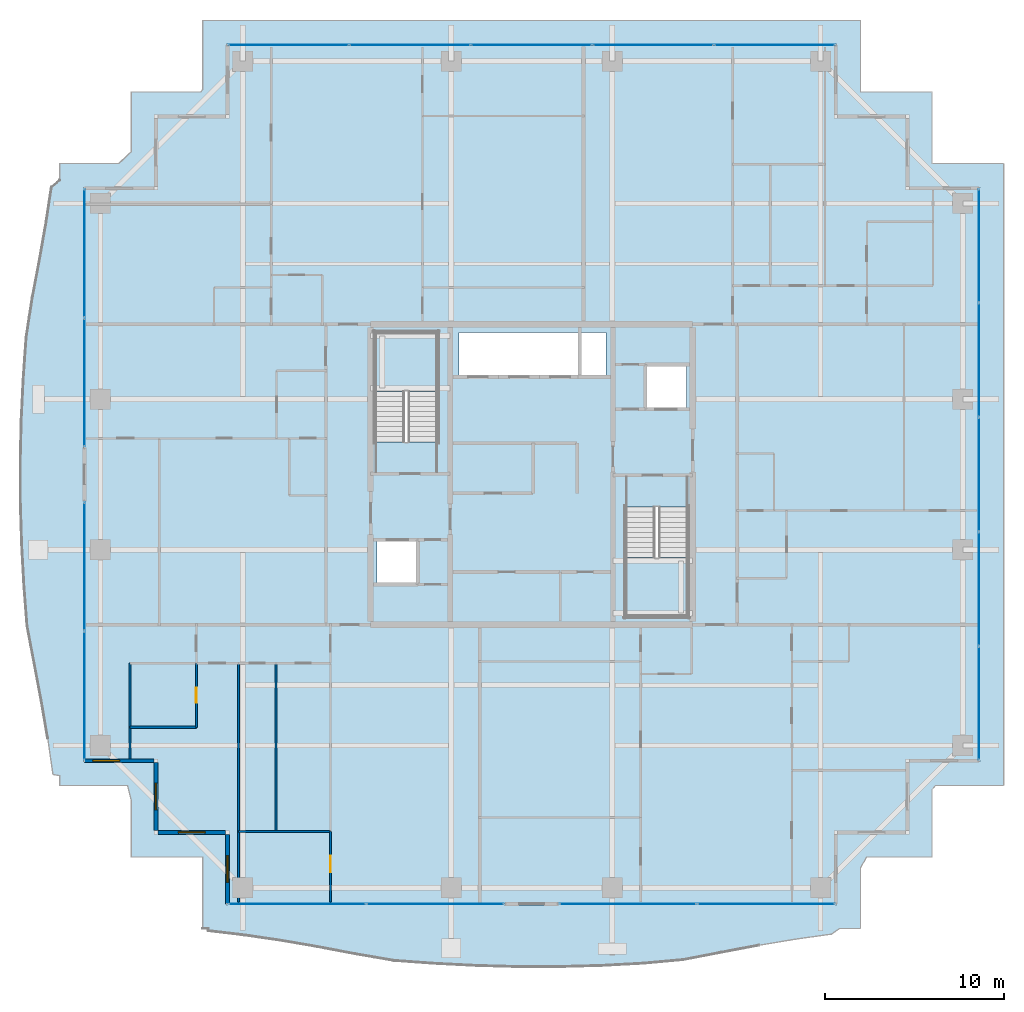
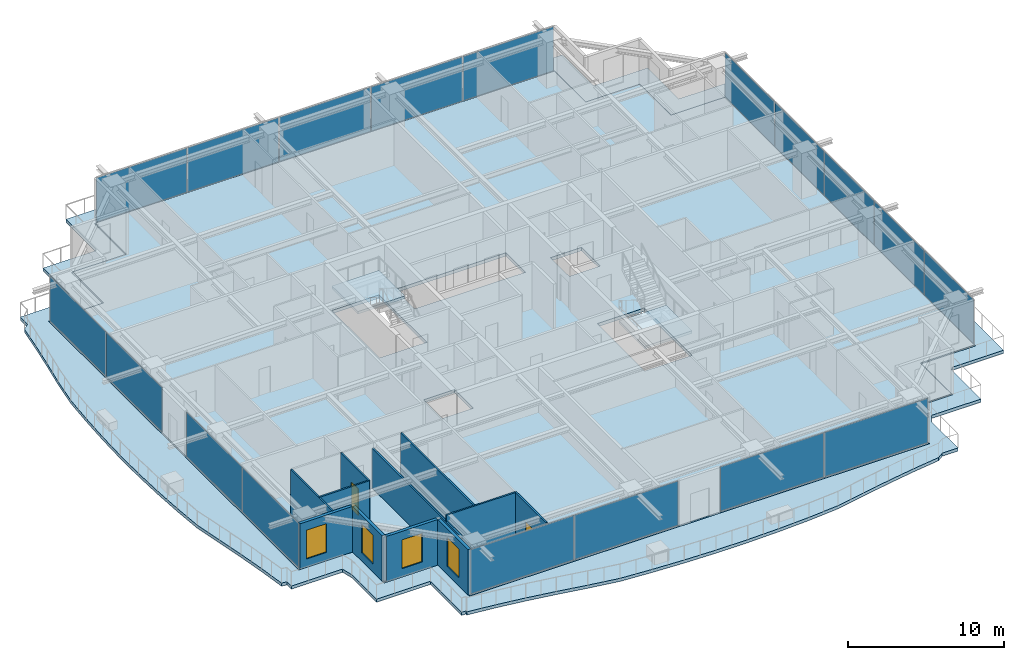
# One storey, part 23 of 35: 18 plates, 11 walls, 4 slabs, 4 windows, 2 doors, 6 openings, 8 elements without a shape of their own.
"""IFC4 building model written with IfcOpenShell, lengths in metres."""

from ifc_helpers import new_model, si_unit, direction, frame, frame_2d, origin, origin_2d, place, context, subcontext, project, spatial, polyline, rectangle, outline, extrude, source, transform, mapped, material, layer, layer_set, type_object, element, fill, aggregate, save


model = new_model("IFC4")

# Units and contexts
model_context = context("Model", 3, precision=1e-05, world=origin(), true_north=direction((0.0, 1.0)))
body_context = subcontext(model_context, "Body", "Model", "MODEL_VIEW")
ifc_project = project(units=[si_unit("LENGTHUNIT", "METRE"), si_unit("AREAUNIT", "SQUARE_METRE"), si_unit("VOLUMEUNIT", "CUBIC_METRE"), si_unit("PLANEANGLEUNIT", "RADIAN"), si_unit("MASSUNIT", "GRAM", prefix="KILO")], contexts=[model_context])

# Site, building, storey
site_placement = place(None, origin())
site = spatial("IfcSite", under=ifc_project, at=site_placement, CompositionType="ELEMENT")
building_placement = place(site_placement, origin())
building = spatial("IfcBuilding", under=site, at=building_placement, Name="Serunith Strait Residences", CompositionType="ELEMENT")
storey_placement = place(building_placement, frame((0.0, 0.0, 214.300048828125)))
storey = spatial("IfcBuildingStorey", under=building, at=storey_placement, Name="L53", CompositionType="ELEMENT", Elevation=214.300048828125)

# Slab
ifc_material_1 = material(Name="Concrete C50/60", Category="concrete")
ifc_layer_1 = layer(ifc_material_1, 0.239990234375, Name="Concrete C50/60")
ifc_layer_set_1 = layer_set([ifc_layer_1], Name="Concrete C50/60")
slab_type_1 = type_object("IfcSlabType", Name="SLB-BALC-240", PredefinedType="FLOOR", material=ifc_layer_set_1)
slab_1_placement = place(storey_placement, frame((0.0, 0.0, -0.2900390625)))
element("IfcSlab", 1, at=slab_1_placement, inside=storey, type_object=slab_type_1, Name="L53 Planted Vertical-Forest Balcony Slab", PredefinedType="FLOOR", context=body_context, shape_type="SweptSolid", body=[
    extrude(outline(polyline([(14.02001953125, -0.179931640625), (14.02001953125, 3.820068359375), (10.02001953125, 3.820068359375), (10.02001953125, 6.98828125), (9.8154296875, 7.820068359375), (6.02001953125, 7.820068359375), (6.02001953125, 8.3701171875), (5.64404296875, 8.432861328125), (5.3525390625, 10.458984375), (5.005615234375, 12.507080078125), (4.614013671875, 14.594970703125), (4.2041015625, 16.7412109375), (4.030029296875, 19.005859375), (3.904541015625, 21.3056640625), (3.83447265625, 23.62890625), (3.826904296875, 25.9619140625), (3.88232421875, 28.289306640625), (3.9951171875, 30.596923828125), (4.154296875, 32.873291015625), (4.49072265625, 35.061279296875), (4.89111328125, 37.16650390625), (5.253173828125, 39.225830078125), (5.561767578125, 41.25830078125), (6.02001953125, 41.644287109375), (6.02001953125, 42.580078125), (9.319580078125, 42.580078125), (10.02001953125, 43.233154296875), (10.02001953125, 46.580078125), (13.9189453125, 46.580078125), (14.02001953125, 46.734619140625), (14.02001953125, 50.580078125), (50.780029296875, 50.580078125), (50.780029296875, 46.580078125), (54.780029296875, 46.580078125), (54.780029296875, 42.580078125), (58.780029296875, 42.580078125), (58.780029296875, 7.820068359375), (54.97509765625, 7.820068359375), (54.780029296875, 7.597900390625), (54.780029296875, 3.820068359375), (51.12060546875, 3.820068359375), (50.780029296875, 3.201416015625), (50.780029296875, -0.179931640625), (49.6103515625, -0.179931640625), (49.1689453125, -0.488525390625), (47.14501953125, -0.77294921875), (45.101318359375, -1.1162109375), (43.018310546875, -1.508056640625), (40.8759765625, -1.9228515625), (38.615234375, -2.12841796875), (36.307861328125, -2.25), (33.976318359375, -2.314208984375), (31.6357421875, -2.314697265625), (29.302001953125, -2.252197265625), (26.990234375, -2.133544921875), (24.711181640625, -1.97021484375), (22.537109375, -1.596923828125), (20.438232421875, -1.1982421875), (18.38330078125, -0.84375), (16.353271484375, -0.54638671875), (14.33251953125, -0.306884765625), (14.33349609375, -0.179931640625), (14.02001953125, -0.179931640625)]), holes=[polyline([(49.455078125, 1.14501953125), (49.455078125, 5.14501953125), (53.455078125, 5.14501953125), (53.455078125, 9.14501953125), (57.455078125, 9.14501953125), (57.455078125, 41.2548828125), (53.455078125, 41.2548828125), (53.455078125, 45.2548828125), (49.455078125, 45.2548828125), (49.455078125, 49.2548828125), (15.344970703125, 49.2548828125), (15.344970703125, 45.2548828125), (11.344970703125, 45.2548828125), (11.344970703125, 41.2548828125), (7.344970703125, 41.2548828125), (7.344970703125, 9.14501953125), (11.344970703125, 9.14501953125), (11.344970703125, 5.14501953125), (15.344970703125, 5.14501953125), (15.344970703125, 1.14501953125), (49.455078125, 1.14501953125)])]), origin(), (0.0, 0.0, 1.0), 0.239990234375),
])

# Stair, slab
stair_type_1 = type_object("IfcStairType", Name="STR-CORE-1", PredefinedType="HALF_TURN_STAIR", material=ifc_material_1)
stair_1_placement = place(storey_placement, origin())
stair_1 = element("IfcStair", 2, at=stair_1_placement, inside=storey, type_object=stair_type_1, Name="L53 Protected Escape Stair ST-1", PredefinedType="HALF_TURN_STAIR")
ifc_layer_2 = layer(ifc_material_1, 0.199951171875, Name="Concrete C50/60")
ifc_layer_set_2 = layer_set([ifc_layer_2], Name="Concrete C50/60")
slab_type_2 = type_object("IfcSlabType", Name="SLB-LAND-200", PredefinedType="LANDING", material=ifc_layer_set_2)
slab_2_placement = place(storey_placement, frame((0.0, 0.0, 1.724853515625)))
slab_2 = element("IfcSlab", 3, at=slab_2_placement, type_object=slab_type_2, Name="ST-1 landing 1", PredefinedType="LANDING", context=body_context, shape_type="SweptSolid", body=[
    extrude(outline(polyline([(27.14990234375, 29.830078125), (27.14990234375, 33.14990234375), (23.64990234375, 33.14990234375), (23.64990234375, 29.830078125), (27.14990234375, 29.830078125)])), origin(), (0.0, 0.0, 1.0), 0.2001953125),
])
aggregate(stair_1, [slab_2])

stair_type_2 = type_object("IfcStairType", Name="STR-CORE-2", PredefinedType="HALF_TURN_STAIR", material=ifc_material_1)
stair_2_placement = place(storey_placement, origin())
stair_2 = element("IfcStair", 4, at=stair_2_placement, inside=storey, type_object=stair_type_2, Name="L53 Protected Escape Stair ST-2", PredefinedType="HALF_TURN_STAIR")
slab_3_placement = place(storey_placement, frame((0.0, 0.0, 1.724853515625)))
slab_3 = element("IfcSlab", 5, at=slab_3_placement, type_object=slab_type_2, Name="ST-2 landing 1", PredefinedType="LANDING", context=body_context, shape_type="SweptSolid", body=[
    extrude(outline(polyline([(37.64990234375, 20.570068359375), (37.64990234375, 17.25), (41.14990234375, 17.25), (41.14990234375, 20.570068359375), (37.64990234375, 20.570068359375)])), origin(), (0.0, 0.0, 1.0), 0.2001953125),
])
aggregate(stair_2, [slab_3])

# Slab
ifc_material_2 = material(Name="Concrete C60/75", Category="concrete")
ifc_layer_3 = layer(ifc_material_2, 0.260009765625, Name="Concrete C60/75")
ifc_layer_set_3 = layer_set([ifc_layer_3], Name="Concrete C60/75")
slab_type_3 = type_object("IfcSlabType", Name="SLB-TWR-275-Z3", PredefinedType="FLOOR", material=ifc_layer_set_3)
slab_4_placement = place(storey_placement, frame((0.0, 0.0, -0.260009765625)))
element("IfcSlab", 6, at=slab_4_placement, inside=storey, type_object=slab_type_3, Name="L53 Structural Floor Plate", PredefinedType="FLOOR", context=body_context, shape_type="SweptSolid", body=[
    extrude(outline(polyline([(15.39990234375, 5.199951171875), (11.39990234375, 5.199951171875), (11.39990234375, 9.199951171875), (7.39990234375, 9.199951171875), (7.39990234375, 41.199951171875), (11.39990234375, 41.199951171875), (11.39990234375, 45.199951171875), (15.39990234375, 45.199951171875), (15.39990234375, 49.199951171875), (49.39990234375, 49.199951171875), (49.39990234375, 45.199951171875), (53.39990234375, 45.199951171875), (53.39990234375, 41.199951171875), (57.39990234375, 41.199951171875), (57.39990234375, 9.199951171875), (53.39990234375, 9.199951171875), (53.39990234375, 5.199951171875), (49.39990234375, 5.199951171875), (49.39990234375, 1.199951171875), (15.39990234375, 1.199951171875), (15.39990234375, 5.199951171875)]), holes=[polyline([(41.14990234375, 23.3701171875), (37.64990234375, 23.3701171875), (37.64990234375, 17.25), (41.14990234375, 17.25), (41.14990234375, 23.3701171875)]), polyline([(38.75, 31.25), (38.75, 28.85009765625), (41.050048828125, 28.85009765625), (41.050048828125, 31.25), (38.75, 31.25)]), polyline([(36.550048828125, 33.14990234375), (28.35009765625, 33.14990234375), (28.35009765625, 30.64990234375), (36.550048828125, 30.64990234375), (36.550048828125, 33.14990234375)]), polyline([(23.64990234375, 33.14990234375), (23.64990234375, 27.030029296875), (27.14990234375, 27.030029296875), (27.14990234375, 33.14990234375), (23.64990234375, 33.14990234375)]), polyline([(23.75, 21.550048828125), (23.75, 19.14990234375), (26.050048828125, 19.14990234375), (26.050048828125, 21.550048828125), (23.75, 21.550048828125)])]), origin(), (0.0, 0.0, 1.0), 0.260009765625),
])

# Curtain wall, plates
ifc_material_3 = material(Name="Pale-Champagne Anodised Aluminium", Category="aluminium")
ifc_layer_4 = layer(ifc_material_3, 0.199951171875, Name="Pale-Champagne Anodised Aluminium")
ifc_layer_set_4 = layer_set([ifc_layer_4], Name="Pale-Champagne Anodised Aluminium")
curtain_wall_type = type_object("IfcCurtainWallType", Name="CW-SYS4", PredefinedType="NOTDEFINED", material=ifc_layer_set_4)
curtain_wall_1_placement = place(storey_placement, origin())
curtain_wall_1 = element("IfcCurtainWall", 7, at=curtain_wall_1_placement, inside=storey, type_object=curtain_wall_type, Name="L53 S Unitised Fritted Curtain Wall", PredefinedType="NOTDEFINED")
ifc_material_4 = material(Name="Ceramic-Printed Solar-Control Glazing 28mm", Category="glass")
ifc_layer_5 = layer(ifc_material_4, 0.028076171875, Name="Ceramic-Printed Solar-Control Glazing 28mm")
ifc_layer_set_5 = layer_set([ifc_layer_5], Name="Ceramic-Printed Solar-Control Glazing 28mm")
plate_type = type_object("IfcPlateType", Name="CW-SYS4-PNL", PredefinedType="CURTAIN_PANEL", material=ifc_layer_set_5)
shared_shape_1 = source(origin(), body_context, "Body", "SweptSolid", [
    extrude(rectangle(XDim=7.652587890625, YDim=0.028076171875, at=origin_2d()), origin(), (0.0, 0.0, 1.0), 3.455078125),
])
plate_1_placement = place(storey_placement, frame((19.291259765625, 1.199951171875, 0.059814453125), z_axis=(0.0, 0.0, 1.0), x_axis=(1.0, 0.0, 0.0)))
plate_1 = element("IfcPlate", 8, at=plate_1_placement, type_object=plate_type, Name="CW-4 panel 1.1", PredefinedType="CURTAIN_PANEL", context=body_context, shape_type="MappedRepresentation", body=[
    mapped(shared_shape_1, transform((0.0, 0.0, 0.0), scale=1.0)),
])
plate_2_placement = place(storey_placement, frame((27.0087890625, 1.199951171875, 0.059814453125), z_axis=(0.0, 0.0, 1.0), x_axis=(1.0, 0.0, 0.0)))
plate_2 = element("IfcPlate", 9, at=plate_2_placement, type_object=plate_type, Name="CW-4 panel 2.1", PredefinedType="CURTAIN_PANEL", context=body_context, shape_type="MappedRepresentation", body=[
    mapped(shared_shape_1, transform((0.0, 0.0, 0.0), scale=1.0)),
])
aggregate(curtain_wall_1, [plate_1, plate_2])

curtain_wall_2_placement = place(storey_placement, origin())
curtain_wall_2 = element("IfcCurtainWall", 10, at=curtain_wall_2_placement, inside=storey, type_object=curtain_wall_type, Name="L53 S Unitised Fritted Curtain Wall", PredefinedType="NOTDEFINED")
plate_3_placement = place(storey_placement, frame((37.791259765625, 1.199951171875, 0.059814453125), z_axis=(0.0, 0.0, 1.0), x_axis=(1.0, 0.0, 0.0)))
plate_3 = element("IfcPlate", 11, at=plate_3_placement, type_object=plate_type, Name="CW-4 panel 1.1", PredefinedType="CURTAIN_PANEL", context=body_context, shape_type="MappedRepresentation", body=[
    mapped(shared_shape_1, transform((0.0, 0.0, 0.0), scale=1.0)),
])
plate_4_placement = place(storey_placement, frame((45.5087890625, 1.199951171875, 0.059814453125), z_axis=(0.0, 0.0, 1.0), x_axis=(1.0, 0.0, 0.0)))
plate_4 = element("IfcPlate", 12, at=plate_4_placement, type_object=plate_type, Name="CW-4 panel 2.1", PredefinedType="CURTAIN_PANEL", context=body_context, shape_type="MappedRepresentation", body=[
    mapped(shared_shape_1, transform((0.0, 0.0, 0.0), scale=1.0)),
])
aggregate(curtain_wall_2, [plate_3, plate_4])

curtain_wall_3_placement = place(storey_placement, origin())
curtain_wall_3 = element("IfcCurtainWall", 13, at=curtain_wall_3_placement, inside=storey, type_object=curtain_wall_type, Name="L53 E Unitised Fritted Curtain Wall", PredefinedType="NOTDEFINED")
shared_shape_2 = source(origin(), body_context, "Body", "SweptSolid", [
    extrude(rectangle(XDim=6.302490234375, YDim=0.028076171875, at=origin_2d()), origin(), (0.0, 0.0, 1.0), 3.455078125),
])
plate_5_placement = place(storey_placement, frame((57.39990234375, 12.416259765625, 0.059814453125), z_axis=(0.0, 0.0, 1.0), x_axis=(0.0, 1.0, 0.0)))
plate_5 = element("IfcPlate", 14, at=plate_5_placement, type_object=plate_type, Name="CW-4 panel 1.1", PredefinedType="CURTAIN_PANEL", context=body_context, shape_type="MappedRepresentation", body=[
    mapped(shared_shape_2, transform((0.0, 0.0, 0.0), scale=1.0)),
])
plate_6_placement = place(storey_placement, frame((57.39990234375, 37.983642578125, 0.059814453125), z_axis=(0.0, 0.0, 1.0), x_axis=(0.0, 1.0, 0.0)))
plate_6 = element("IfcPlate", 15, at=plate_6_placement, type_object=plate_type, Name="CW-4 panel 5.1", PredefinedType="CURTAIN_PANEL", context=body_context, shape_type="MappedRepresentation", body=[
    mapped(shared_shape_2, transform((0.0, 0.0, 0.0), scale=1.0)),
])
shared_shape_3 = source(origin(), body_context, "Body", "SweptSolid", [
    extrude(rectangle(XDim=6.3349609375, YDim=0.028076171875, at=origin_2d()), origin(), (0.0, 0.0, 1.0), 3.455078125),
])
plate_7_placement = place(storey_placement, frame((57.39990234375, 18.800048828125, 0.059814453125), z_axis=(0.0, 0.0, 1.0), x_axis=(0.0, 1.0, 0.0)))
plate_7 = element("IfcPlate", 16, at=plate_7_placement, type_object=plate_type, Name="CW-4 panel 2.1", PredefinedType="CURTAIN_PANEL", context=body_context, shape_type="MappedRepresentation", body=[
    mapped(shared_shape_3, transform((0.0, 0.0, 0.0), scale=1.0)),
])
plate_8_placement = place(storey_placement, frame((57.39990234375, 25.199951171875, 0.059814453125), z_axis=(0.0, 0.0, 1.0), x_axis=(0.0, 1.0, 0.0)))
plate_8 = element("IfcPlate", 17, at=plate_8_placement, type_object=plate_type, Name="CW-4 panel 3.1", PredefinedType="CURTAIN_PANEL", context=body_context, shape_type="MappedRepresentation", body=[
    mapped(shared_shape_3, transform((0.0, 0.0, 0.0), scale=1.0)),
])
plate_9_placement = place(storey_placement, frame((57.39990234375, 31.60009765625, 0.059814453125), z_axis=(0.0, 0.0, 1.0), x_axis=(0.0, 1.0, 0.0)))
plate_9 = element("IfcPlate", 18, at=plate_9_placement, type_object=plate_type, Name="CW-4 panel 4.1", PredefinedType="CURTAIN_PANEL", context=body_context, shape_type="MappedRepresentation", body=[
    mapped(shared_shape_3, transform((0.0, 0.0, 0.0), scale=1.0)),
])
aggregate(curtain_wall_3, [plate_5, plate_7, plate_8, plate_9, plate_6])

curtain_wall_4_placement = place(storey_placement, origin())
curtain_wall_4 = element("IfcCurtainWall", 19, at=curtain_wall_4_placement, inside=storey, type_object=curtain_wall_type, Name="L53 N Unitised Fritted Curtain Wall", PredefinedType="NOTDEFINED")
shared_shape_4 = source(origin(), body_context, "Body", "SweptSolid", [
    extrude(rectangle(XDim=6.702392578125, YDim=0.028076171875, at=origin_2d()), origin(), (0.0, 0.0, 1.0), 3.455078125),
])
plate_10_placement = place(storey_placement, frame((45.983642578125, 49.199951171875, 0.059814453125), z_axis=(0.0, 0.0, 1.0), x_axis=(-1.0, 0.0, 0.0)))
plate_10 = element("IfcPlate", 20, at=plate_10_placement, type_object=plate_type, Name="CW-4 panel 1.1", PredefinedType="CURTAIN_PANEL", context=body_context, shape_type="MappedRepresentation", body=[
    mapped(shared_shape_4, transform((0.0, 0.0, 0.0), scale=1.0)),
])
plate_11_placement = place(storey_placement, frame((18.816162109375, 49.199951171875, 0.059814453125), z_axis=(0.0, 0.0, 1.0), x_axis=(-1.0, 0.0, 0.0)))
plate_11 = element("IfcPlate", 21, at=plate_11_placement, type_object=plate_type, Name="CW-4 panel 5.1", PredefinedType="CURTAIN_PANEL", context=body_context, shape_type="MappedRepresentation", body=[
    mapped(shared_shape_4, transform((0.0, 0.0, 0.0), scale=1.0)),
])
shared_shape_5 = source(origin(), body_context, "Body", "SweptSolid", [
    extrude(rectangle(XDim=6.735107421875, YDim=0.028076171875, at=origin_2d()), origin(), (0.0, 0.0, 1.0), 3.455078125),
])
plate_12_placement = place(storey_placement, frame((39.199951171875, 49.199951171875, 0.059814453125), z_axis=(0.0, 0.0, 1.0), x_axis=(-1.0, 0.0, 0.0)))
plate_12 = element("IfcPlate", 22, at=plate_12_placement, type_object=plate_type, Name="CW-4 panel 2.1", PredefinedType="CURTAIN_PANEL", context=body_context, shape_type="MappedRepresentation", body=[
    mapped(shared_shape_5, transform((0.0, 0.0, 0.0), scale=1.0)),
])
plate_13_placement = place(storey_placement, frame((32.39990234375, 49.199951171875, 0.059814453125), z_axis=(0.0, 0.0, 1.0), x_axis=(-1.0, 0.0, 0.0)))
plate_13 = element("IfcPlate", 23, at=plate_13_placement, type_object=plate_type, Name="CW-4 panel 3.1", PredefinedType="CURTAIN_PANEL", context=body_context, shape_type="MappedRepresentation", body=[
    mapped(shared_shape_5, transform((0.0, 0.0, 0.0), scale=1.0)),
])
plate_14_placement = place(storey_placement, frame((25.60009765625, 49.199951171875, 0.059814453125), z_axis=(0.0, 0.0, 1.0), x_axis=(-1.0, 0.0, 0.0)))
plate_14 = element("IfcPlate", 24, at=plate_14_placement, type_object=plate_type, Name="CW-4 panel 4.1", PredefinedType="CURTAIN_PANEL", context=body_context, shape_type="MappedRepresentation", body=[
    mapped(shared_shape_5, transform((0.0, 0.0, 0.0), scale=1.0)),
])
aggregate(curtain_wall_4, [plate_10, plate_12, plate_13, plate_14, plate_11])

curtain_wall_5_placement = place(storey_placement, origin())
curtain_wall_5 = element("IfcCurtainWall", 25, at=curtain_wall_5_placement, inside=storey, type_object=curtain_wall_type, Name="L53 W Unitised Fritted Curtain Wall", PredefinedType="NOTDEFINED")
shared_shape_6 = source(origin(), body_context, "Body", "SweptSolid", [
    extrude(rectangle(XDim=7.152587890625, YDim=0.028076171875, at=origin_2d()), origin(), (0.0, 0.0, 1.0), 3.455078125),
])
plate_15_placement = place(storey_placement, frame((7.39990234375, 37.558837890625, 0.059814453125), z_axis=(0.0, 0.0, 1.0), x_axis=(0.0, -1.0, 0.0)))
plate_15 = element("IfcPlate", 26, at=plate_15_placement, type_object=plate_type, Name="CW-4 panel 1.1", PredefinedType="CURTAIN_PANEL", context=body_context, shape_type="MappedRepresentation", body=[
    mapped(shared_shape_6, transform((0.0, 0.0, 0.0), scale=1.0)),
])
plate_16_placement = place(storey_placement, frame((7.39990234375, 30.34130859375, 0.059814453125), z_axis=(0.0, 0.0, 1.0), x_axis=(0.0, -1.0, 0.0)))
plate_16 = element("IfcPlate", 27, at=plate_16_placement, type_object=plate_type, Name="CW-4 panel 2.1", PredefinedType="CURTAIN_PANEL", context=body_context, shape_type="MappedRepresentation", body=[
    mapped(shared_shape_6, transform((0.0, 0.0, 0.0), scale=1.0)),
])
aggregate(curtain_wall_5, [plate_15, plate_16])

curtain_wall_6_placement = place(storey_placement, origin())
curtain_wall_6 = element("IfcCurtainWall", 28, at=curtain_wall_6_placement, inside=storey, type_object=curtain_wall_type, Name="L53 W Unitised Fritted Curtain Wall", PredefinedType="NOTDEFINED")
plate_17_placement = place(storey_placement, frame((7.39990234375, 20.058837890625, 0.059814453125), z_axis=(0.0, 0.0, 1.0), x_axis=(0.0, -1.0, 0.0)))
plate_17 = element("IfcPlate", 29, at=plate_17_placement, type_object=plate_type, Name="CW-4 panel 1.1", PredefinedType="CURTAIN_PANEL", context=body_context, shape_type="MappedRepresentation", body=[
    mapped(shared_shape_6, transform((0.0, 0.0, 0.0), scale=1.0)),
])
plate_18_placement = place(storey_placement, frame((7.39990234375, 12.84130859375, 0.059814453125), z_axis=(0.0, 0.0, 1.0), x_axis=(0.0, -1.0, 0.0)))
plate_18 = element("IfcPlate", 30, at=plate_18_placement, type_object=plate_type, Name="CW-4 panel 2.1", PredefinedType="CURTAIN_PANEL", context=body_context, shape_type="MappedRepresentation", body=[
    mapped(shared_shape_6, transform((0.0, 0.0, 0.0), scale=1.0)),
])
aggregate(curtain_wall_6, [plate_17, plate_18])

# Wall, opening, window
ifc_material_5 = material(Name="Pale-Champagne Aluminium Insulated Panel", Category="aluminium")
ifc_layer_6 = layer(ifc_material_5, 0.219970703125, Name="Pale-Champagne Aluminium Insulated Panel")
ifc_layer_set_6 = layer_set([ifc_layer_6], Name="Pale-Champagne Aluminium Insulated Panel")
wall_type_1 = type_object("IfcWallType", Name="EW-ALUM-220", PredefinedType="ELEMENTEDWALL", material=ifc_layer_set_6)
wall_1_placement = place(storey_placement, frame((7.39990234375, 9.199951171875, 0.0), z_axis=(0.0, 0.0, 1.0), x_axis=(1.0, 0.0, 0.0)))
wall_1 = element("IfcWall", 31, at=wall_1_placement, inside=storey, type_object=wall_type_1, Name="L53 Girih Serrated Corner Wall 17", PredefinedType="ELEMENTEDWALL", context=body_context, shape_type="SweptSolid", body=[
    extrude(rectangle(XDim=3.89013671875, YDim=0.219970703125, at=frame_2d((1.945068359375, 0.0))), origin(), (0.0, 0.0, 1.0), 3.574951171875),
])
opening_1_placement = place(wall_1_placement, frame((0.47802734375, 0.0, 0.64990234375)))
opening_1 = element("IfcOpeningElement", 32, at=opening_1_placement, cuts=wall_1, Name="Opening W-05", PredefinedType="OPENING", context=body_context, shape_type="SweptSolid", body=[
    extrude(rectangle(XDim=1.5, YDim=2.25, at=frame_2d((0.75, 1.125))), frame((0.0, 0.1201171875, 0.0), z_axis=(0.0, -1.0, 0.0), x_axis=(1.0, 0.0, 0.0)), (0.0, 0.0, 1.0), 0.239990234375),
])
ifc_material_6 = material(Name="Ceramic-Fritted Operable Aluminium Window Glass", Category="aluminium")
window_type = type_object("IfcWindowType", Name="WIN-C5", PartitioningType="DOUBLE_PANEL_VERTICAL", PredefinedType="WINDOW", material=ifc_material_6)
shared_shape_7 = source(origin(), body_context, "Body", "SweptSolid", [
    extrude(rectangle(XDim=1.5, YDim=2.25, at=frame_2d((0.75, 1.125))), frame((0.0, 0.030029296875, 0.0), z_axis=(0.0, -1.0, 0.0), x_axis=(1.0, 0.0, 0.0)), (0.0, 0.0, 1.0), 0.06005859375),
])
window_1_placement = place(opening_1_placement, origin())
window_1 = element("IfcWindow", 33, at=window_1_placement, inside=storey, type_object=window_type, Name="L53 Corner Operable Fritted Window 17", OverallHeight=2.25, OverallWidth=1.5, PartitioningType="SINGLE_PANEL", PredefinedType="WINDOW", context=body_context, shape_type="MappedRepresentation", body=[
    mapped(shared_shape_7, transform((0.0, 0.0, 0.0), scale=1.0)),
])
fill(opening_1, window_1)

wall_2_placement = place(storey_placement, frame((11.39990234375, 9.090087890625, 0.0), z_axis=(0.0, 0.0, 1.0), x_axis=(0.0, -1.0, 0.0)))
wall_2 = element("IfcWall", 34, at=wall_2_placement, inside=storey, type_object=wall_type_1, Name="L53 Girih Serrated Corner Wall 18", PredefinedType="ELEMENTEDWALL", context=body_context, shape_type="SweptSolid", body=[
    extrude(rectangle(XDim=3.780029296875, YDim=0.219970703125, at=frame_2d((1.89013671875, 0.0))), origin(), (0.0, 0.0, 1.0), 3.574951171875),
])
opening_2_placement = place(wall_2_placement, frame((1.139892578125, 0.0, 0.64990234375)))
opening_2 = element("IfcOpeningElement", 35, at=opening_2_placement, cuts=wall_2, Name="Opening W-05", PredefinedType="OPENING", context=body_context, shape_type="SweptSolid", body=[
    extrude(rectangle(XDim=1.5, YDim=2.25, at=frame_2d((0.75, 1.125))), frame((0.0, 0.1201171875, 0.0), z_axis=(0.0, -1.0, 0.0), x_axis=(1.0, 0.0, 0.0)), (0.0, 0.0, 1.0), 0.239990234375),
])
window_2_placement = place(opening_2_placement, origin())
window_2 = element("IfcWindow", 36, at=window_2_placement, inside=storey, type_object=window_type, Name="L53 Corner Operable Fritted Window 18", OverallHeight=2.25, OverallWidth=1.5, PartitioningType="SINGLE_PANEL", PredefinedType="WINDOW", context=body_context, shape_type="MappedRepresentation", body=[
    mapped(shared_shape_7, transform((0.0, 0.0, 0.0), scale=1.0)),
])
fill(opening_2, window_2)

wall_3_placement = place(storey_placement, frame((11.510009765625, 5.199951171875, 0.0), z_axis=(0.0, 0.0, 1.0), x_axis=(1.0, 0.0, 0.0)))
wall_3 = element("IfcWall", 37, at=wall_3_placement, inside=storey, type_object=wall_type_1, Name="L53 Girih Serrated Corner Wall 19", PredefinedType="ELEMENTEDWALL", context=body_context, shape_type="SweptSolid", body=[
    extrude(rectangle(XDim=3.780029296875, YDim=0.219970703125, at=frame_2d((1.89013671875, 0.0))), origin(), (0.0, 0.0, 1.0), 3.574951171875),
])
opening_3_placement = place(wall_3_placement, frame((1.139892578125, 0.0, 0.64990234375)))
opening_3 = element("IfcOpeningElement", 38, at=opening_3_placement, cuts=wall_3, Name="Opening W-05", PredefinedType="OPENING", context=body_context, shape_type="SweptSolid", body=[
    extrude(rectangle(XDim=1.5, YDim=2.25, at=frame_2d((0.75, 1.125))), frame((0.0, 0.1201171875, 0.0), z_axis=(0.0, -1.0, 0.0), x_axis=(1.0, 0.0, 0.0)), (0.0, 0.0, 1.0), 0.239990234375),
])
window_3_placement = place(opening_3_placement, origin())
window_3 = element("IfcWindow", 39, at=window_3_placement, inside=storey, type_object=window_type, Name="L53 Corner Operable Fritted Window 19", OverallHeight=2.25, OverallWidth=1.5, PartitioningType="SINGLE_PANEL", PredefinedType="WINDOW", context=body_context, shape_type="MappedRepresentation", body=[
    mapped(shared_shape_7, transform((0.0, 0.0, 0.0), scale=1.0)),
])
fill(opening_3, window_3)

wall_4_placement = place(storey_placement, frame((15.39990234375, 5.090087890625, 0.0), z_axis=(0.0, 0.0, 1.0), x_axis=(0.0, -1.0, 0.0)))
wall_4 = element("IfcWall", 40, at=wall_4_placement, inside=storey, type_object=wall_type_1, Name="L53 Girih Serrated Corner Wall 20", PredefinedType="ELEMENTEDWALL", context=body_context, shape_type="SweptSolid", body=[
    extrude(rectangle(XDim=3.89013671875, YDim=0.219970703125, at=frame_2d((1.945068359375, 0.0))), origin(), (0.0, 0.0, 1.0), 3.574951171875),
])
opening_4_placement = place(wall_4_placement, frame((1.195068359375, 0.0, 0.64990234375)))
opening_4 = element("IfcOpeningElement", 41, at=opening_4_placement, cuts=wall_4, Name="Opening W-05", PredefinedType="OPENING", context=body_context, shape_type="SweptSolid", body=[
    extrude(rectangle(XDim=1.5, YDim=2.25, at=frame_2d((0.75, 1.125))), frame((0.0, 0.1201171875, 0.0), z_axis=(0.0, -1.0, 0.0), x_axis=(1.0, 0.0, 0.0)), (0.0, 0.0, 1.0), 0.239990234375),
])
window_4_placement = place(opening_4_placement, origin())
window_4 = element("IfcWindow", 42, at=window_4_placement, inside=storey, type_object=window_type, Name="L53 Corner Operable Fritted Window 20", OverallHeight=2.25, OverallWidth=1.5, PartitioningType="SINGLE_PANEL", PredefinedType="WINDOW", context=body_context, shape_type="MappedRepresentation", body=[
    mapped(shared_shape_7, transform((0.0, 0.0, 0.0), scale=1.0)),
])
fill(opening_4, window_4)

# Wall, opening, door
ifc_material_7 = material(Name="Lightweight steel-stud gypsum partition", Category="steel")
ifc_layer_7 = layer(ifc_material_7, 0.1201171875, Name="Lightweight steel-stud gypsum partition")
ifc_layer_set_7 = layer_set([ifc_layer_7], Name="Lightweight steel-stud gypsum partition")
wall_type_2 = type_object("IfcWallType", Name="IW-PART-120", PredefinedType="PARTITIONING", material=ifc_layer_set_7)
wall_5_placement = place(storey_placement, frame((21.159912109375, 1.294921875, 0.0), z_axis=(0.0, 0.0, 1.0), x_axis=(0.0, 1.0, 0.0)))
wall_5 = element("IfcWall", 43, at=wall_5_placement, inside=storey, type_object=wall_type_2, Name="L53 Partition Wall 033", PredefinedType="PARTITIONING", context=body_context, shape_type="SweptSolid", body=[
    extrude(rectangle(XDim=3.9560546875, YDim=0.1201171875, at=frame_2d((1.97802734375, 0.0))), origin(), (0.0, 0.0, 1.0), 3.58984375),
])
opening_5_placement = place(wall_5_placement, frame((1.680908203125, 0.0, 0.0)))
opening_5 = element("IfcOpeningElement", 44, at=opening_5_placement, cuts=wall_5, Name="Opening D-RM900", PredefinedType="OPENING", context=body_context, shape_type="SweptSolid", body=[
    extrude(rectangle(XDim=0.89990234375, YDim=2.10009765625, at=frame_2d((0.449951171875, 1.050048828125))), frame((0.0, 0.070068359375, 0.0), z_axis=(0.0, -1.0, 0.0), x_axis=(1.0, 0.0, 0.0)), (0.0, 0.0, 1.0), 0.14013671875),
])
ifc_material_8 = material(Name="Engineered timber flush bedroom door", Category="wood")
door_type_1 = type_object("IfcDoorType", Name="ID-ROOM-900", OperationType="NOTDEFINED", PredefinedType="DOOR", material=ifc_material_8)
shared_shape_8 = source(origin(), body_context, "Body", "SweptSolid", [
    extrude(rectangle(XDim=0.89990234375, YDim=2.10009765625, at=frame_2d((0.449951171875, 1.050048828125))), frame((0.0, 0.02490234375, 0.0), z_axis=(0.0, -1.0, 0.0), x_axis=(1.0, 0.0, 0.0)), (0.0, 0.0, 1.0), 0.050048828125),
])
door_1_placement = place(opening_5_placement, origin())
door_1 = element("IfcDoor", 45, at=door_1_placement, inside=storey, type_object=door_type_1, Name="L53 Study 1 5301 Door", OperationType="SINGLE_SWING_LEFT", OverallHeight=2.10009765625, OverallWidth=0.89990234375, PredefinedType="DOOR", context=body_context, shape_type="MappedRepresentation", body=[
    mapped(shared_shape_8, transform((0.0, 0.0, 0.0), scale=1.0)),
])
fill(opening_5, door_1)

# Walls
wall_6_placement = place(storey_placement, frame((16.010009765625, 5.2509765625, 0.0), z_axis=(0.0, 0.0, 1.0), x_axis=(1.0, 0.0, 0.0)))
element("IfcWall", 46, at=wall_6_placement, inside=storey, type_object=wall_type_2, Name="L53 Partition Wall 035", PredefinedType="PARTITIONING", context=body_context, shape_type="SweptSolid", body=[
    extrude(rectangle(XDim=5.14990234375, YDim=0.1201171875, at=frame_2d((2.574951171875, 0.0))), origin(), (0.0, 0.0, 1.0), 3.58984375),
])
wall_7_placement = place(storey_placement, frame((16.010009765625, 1.294921875, 0.0), z_axis=(0.0, 0.0, 1.0), x_axis=(0.0, 1.0, 0.0)))
element("IfcWall", 47, at=wall_7_placement, inside=storey, type_object=wall_type_2, Name="L53 Partition Wall 036", PredefinedType="PARTITIONING", context=body_context, shape_type="SweptSolid", body=[
    extrude(rectangle(XDim=13.35498046875, YDim=0.1201171875, at=frame_2d((6.677490234375, 0.0))), origin(), (0.0, 0.0, 1.0), 3.1220703125),
])
wall_8_placement = place(storey_placement, frame((18.110107421875, 5.2509765625, 0.0), z_axis=(0.0, 0.0, 1.0), x_axis=(0.0, 1.0, 0.0)))
element("IfcWall", 48, at=wall_8_placement, inside=storey, type_object=wall_type_2, Name="L53 Partition Wall 037", PredefinedType="PARTITIONING", context=body_context, shape_type="SweptSolid", body=[
    extrude(rectangle(XDim=9.39892578125, YDim=0.1201171875, at=frame_2d((4.699462890625, 0.0))), origin(), (0.0, 0.0, 1.0), 3.58984375),
])
wall_9_placement = place(storey_placement, frame((9.9599609375, 11.071044921875, 0.0), z_axis=(0.0, 0.0, 1.0), x_axis=(1.0, 0.0, 0.0)))
element("IfcWall", 49, at=wall_9_placement, inside=storey, type_object=wall_type_2, Name="L53 Partition Wall 041", PredefinedType="PARTITIONING", context=body_context, shape_type="SweptSolid", body=[
    extrude(rectangle(XDim=3.699951171875, YDim=0.1201171875, at=frame_2d((1.85009765625, 0.0))), origin(), (0.0, 0.0, 1.0), 3.58984375),
])
wall_10_placement = place(storey_placement, frame((9.9599609375, 9.294921875, 0.0), z_axis=(0.0, 0.0, 1.0), x_axis=(0.0, 1.0, 0.0)))
element("IfcWall", 50, at=wall_10_placement, inside=storey, type_object=wall_type_2, Name="L53 Partition Wall 042", PredefinedType="PARTITIONING", context=body_context, shape_type="SweptSolid", body=[
    extrude(rectangle(XDim=5.35498046875, YDim=0.1201171875, at=frame_2d((2.677490234375, 0.0))), origin(), (0.0, 0.0, 1.0), 3.58984375),
])

# Wall, opening, door
wall_11_placement = place(storey_placement, frame((13.659912109375, 11.071044921875, 0.0), z_axis=(0.0, 0.0, 1.0), x_axis=(0.0, 1.0, 0.0)))
wall_11 = element("IfcWall", 51, at=wall_11_placement, inside=storey, type_object=wall_type_2, Name="L53 Partition Wall 044", PredefinedType="PARTITIONING", context=body_context, shape_type="SweptSolid", body=[
    extrude(rectangle(XDim=3.578857421875, YDim=0.1201171875, at=frame_2d((1.78955078125, 0.0))), origin(), (0.0, 0.0, 1.0), 3.58984375),
])
opening_6_placement = place(wall_11_placement, frame((1.364990234375, 0.0, 0.0)))
opening_6 = element("IfcOpeningElement", 52, at=opening_6_placement, cuts=wall_11, Name="Opening D-BTH850", PredefinedType="OPENING", context=body_context, shape_type="SweptSolid", body=[
    extrude(rectangle(XDim=0.85009765625, YDim=2.10009765625, at=frame_2d((0.425048828125, 1.050048828125))), frame((0.0, 0.070068359375, 0.0), z_axis=(0.0, -1.0, 0.0), x_axis=(1.0, 0.0, 0.0)), (0.0, 0.0, 1.0), 0.14013671875),
])
ifc_material_9 = material(Name="Moisture-resistant timber bathroom door", Category="wood")
door_type_2 = type_object("IfcDoorType", Name="ID-BATH-850", OperationType="NOTDEFINED", PredefinedType="DOOR", material=ifc_material_9)
shared_shape_9 = source(origin(), body_context, "Body", "SweptSolid", [
    extrude(rectangle(XDim=0.85009765625, YDim=2.10009765625, at=frame_2d((0.425048828125, 1.050048828125))), frame((0.0, 0.02490234375, 0.0), z_axis=(0.0, -1.0, 0.0), x_axis=(1.0, 0.0, 0.0)), (0.0, 0.0, 1.0), 0.050048828125),
])
door_2_placement = place(opening_6_placement, origin())
door_2 = element("IfcDoor", 53, at=door_2_placement, inside=storey, type_object=door_type_2, Name="L53 En-suite Bathroom W 5301 Door", OperationType="SINGLE_SWING_LEFT", OverallHeight=2.10009765625, OverallWidth=0.85009765625, PredefinedType="DOOR", context=body_context, shape_type="MappedRepresentation", body=[
    mapped(shared_shape_9, transform((0.0, 0.0, 0.0), scale=1.0)),
])
fill(opening_6, door_2)

save(model, "model.ifc")
